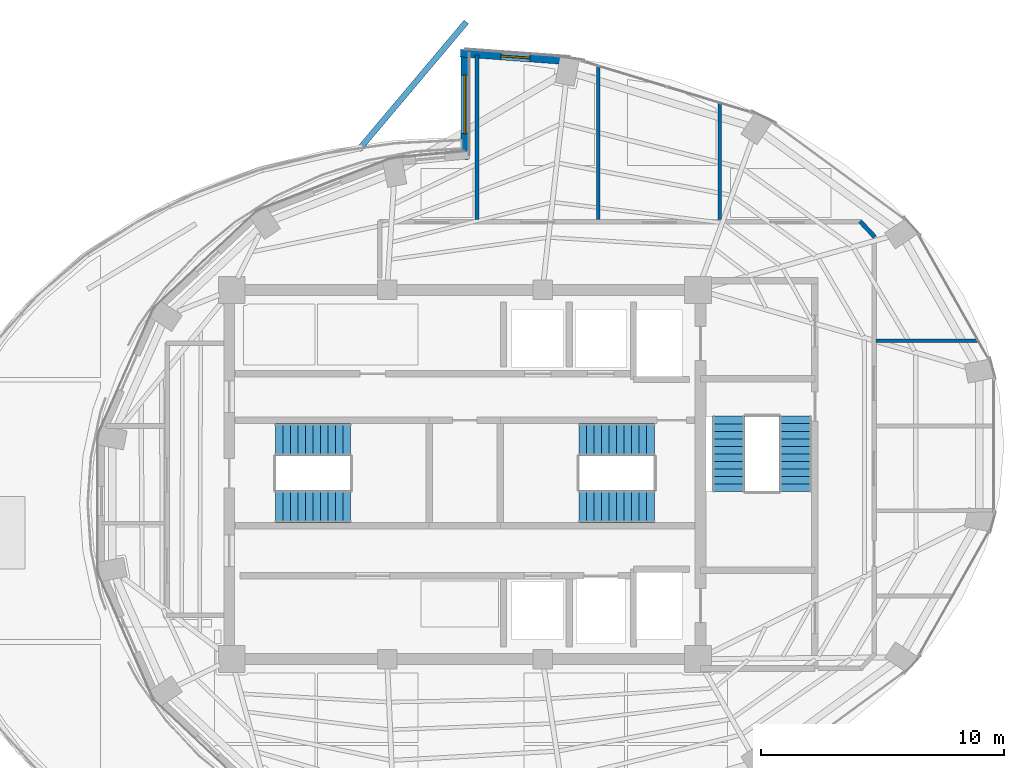
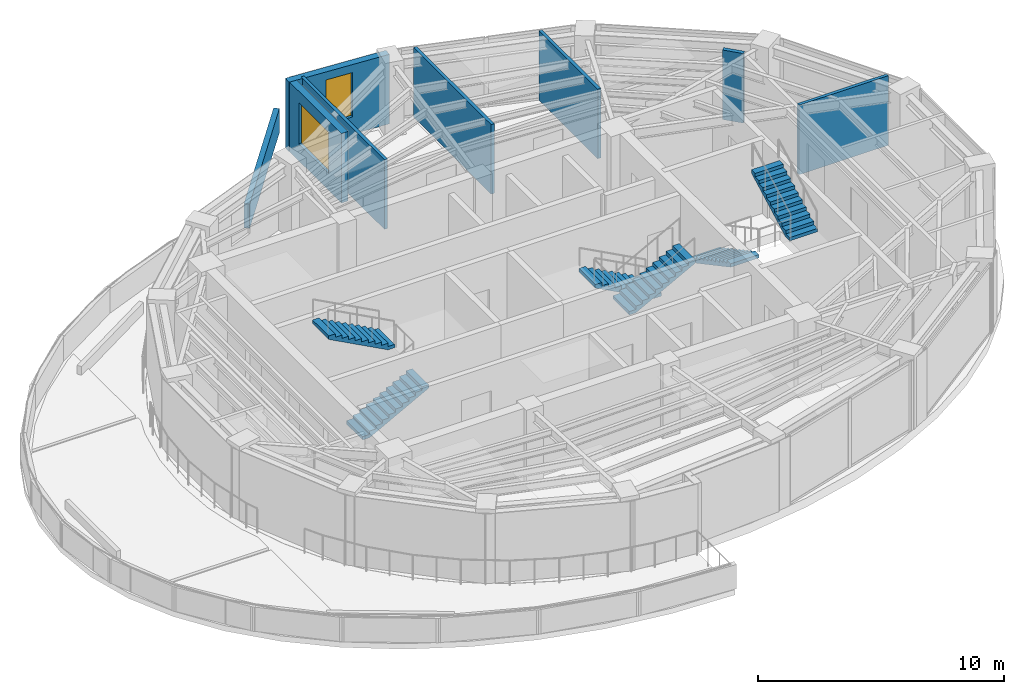
# One storey, part 11 of 15: 8 walls, 6 stair flights, 2 windows, 2 openings, 3 elements without a shape of their own.
"""IFC4 building model written with IfcOpenShell, lengths in metres."""

from ifc_helpers import new_model, si_unit, direction, frame, frame_2d, origin, place, context, subcontext, project, spatial, polyline, rectangle, outline, extrude, material, layer, layer_set, type_object, element, fill, aggregate, save


model = new_model("IFC4")

# Units and contexts
model_context = context("Model", 3, precision=1e-05, world=origin(), true_north=direction((0.0, 1.0)))
body_context = subcontext(model_context, "Body", "Model", "MODEL_VIEW")
ifc_project = project(units=[si_unit("LENGTHUNIT", "METRE"), si_unit("AREAUNIT", "SQUARE_METRE"), si_unit("VOLUMEUNIT", "CUBIC_METRE"), si_unit("PLANEANGLEUNIT", "RADIAN"), si_unit("MASSUNIT", "GRAM", prefix="KILO")], contexts=[model_context])

# Site, building, storey
site_placement = place(None, origin())
site = spatial("IfcSite", under=ifc_project, at=site_placement, CompositionType="ELEMENT")
building_placement = place(site_placement, origin())
building = spatial("IfcBuilding", under=site, at=building_placement, Name="Lazwardi Medical Tower", CompositionType="ELEMENT")
storey_placement = place(building_placement, frame((0.0, 0.0, 269.615966796875)))
storey = spatial("IfcBuildingStorey", under=building, at=storey_placement, Name="L70", CompositionType="ELEMENT", Elevation=269.615966796875)

# Wall
ifc_material_1 = material(Name="Fire-rated gypsum board on steel stud", Category="steel")
ifc_layer_1 = layer(ifc_material_1, 0.179931640625)
ifc_layer_set_1 = layer_set([ifc_layer_1], Name="Fire-rated gypsum board on steel stud")
wall_type_1 = type_object("IfcWallType", Name="WL-COR-180", PredefinedType="PARTITIONING", material=ifc_layer_set_1)
wall_1_placement = place(storey_placement, frame((52.271728515625, 38.42919921875, 0.0), z_axis=(0.0, 0.0, 1.0), x_axis=(0.682475113459, -0.730908831188, 0.0)))
element("IfcWall", 1, at=wall_1_placement, inside=storey, type_object=wall_type_1, Name="L70 Corridor partition 3", PredefinedType="PARTITIONING", context=body_context, shape_type="SweptSolid", body=[
    extrude(rectangle(XDim=0.88720703125, YDim=0.179931640625, at=frame_2d((0.443603515625, 0.0))), origin(), (0.0, 0.0, 1.0), 3.447998046875),
])

# Wall, opening, window
ifc_material_2 = material(Name="Precast concrete C45/55", Category="concrete")
ifc_layer_2 = layer(ifc_material_2, 0.320068359375)
ifc_layer_set_2 = layer_set([ifc_layer_2], Name="Precast concrete C45/55")
wall_type_2 = type_object("IfcWallType", Name="WL-IWAN-320", PredefinedType="SOLIDWALL", material=ifc_layer_set_2)
wall_2_placement = place(storey_placement, frame((40.349609375, 45.0263671875, 0.0), z_axis=(0.0, 0.0, 1.0), x_axis=(-0.997412917451, 0.071885131294, 0.0)))
wall_2 = element("IfcWall", 2, at=wall_2_placement, inside=storey, type_object=wall_type_2, Name="L70 Iwan Portal Return Wall NE_ret", PredefinedType="SOLIDWALL", context=body_context, shape_type="SweptSolid", body=[
    extrude(rectangle(XDim=4.540771484375, YDim=0.320068359375, at=frame_2d((2.2705078125, 0.0))), origin(), (0.0, 0.0, 1.0), 3.447998046875),
])
opening_1_placement = place(wall_2_placement, frame((1.67041015625, 0.0, 0.85009765625)))
opening_1 = element("IfcOpeningElement", 3, at=opening_1_placement, cuts=wall_2, Name="Opening WN-01", PredefinedType="OPENING", context=body_context, shape_type="SweptSolid", body=[
    extrude(rectangle(XDim=1.199951171875, YDim=2.199951171875, at=frame_2d((0.60009765625, 1.10009765625))), frame((0.0, 0.169921875, 0.0), z_axis=(0.0, -1.0, 0.0), x_axis=(1.0, 0.0, 0.0)), (0.0, 0.0, 1.0), 0.340087890625),
])
ifc_material_3 = material(Name="Low-e bronze solar control double glazing", Category="glass")
window_type_1 = type_object("IfcWindowType", Name="WIN-IW-1200", PartitioningType="SINGLE_PANEL", PredefinedType="WINDOW", material=ifc_material_3)
window_1_placement = place(opening_1_placement, origin())
window_1 = element("IfcWindow", 4, at=window_1_placement, inside=storey, type_object=window_type_1, Name="L70 Iwan Slot Window NE_ret", OverallHeight=2.199951171875, OverallWidth=1.199951171875, PartitioningType="SINGLE_PANEL", PredefinedType="WINDOW", context=body_context, shape_type="SweptSolid", body=[
    extrude(rectangle(XDim=1.199951171875, YDim=2.199951171875, at=frame_2d((0.60009765625, 1.10009765625))), frame((0.0, 0.030029296875, 0.0), z_axis=(0.0, -1.0, 0.0), x_axis=(1.0, 0.0, 0.0)), (0.0, 0.0, 1.0), 0.06005859375),
])
fill(opening_1, window_1)

wall_3_placement = place(storey_placement, frame((36.0, 45.5, 0.0), z_axis=(0.0, 0.0, 1.0), x_axis=(0.0, -1.0, 0.0)))
wall_3 = element("IfcWall", 5, at=wall_3_placement, inside=storey, type_object=wall_type_2, Name="L70 Turquoise Tilework Iwan Seam Wall N_seam", PredefinedType="SOLIDWALL", context=body_context, shape_type="SweptSolid", body=[
    extrude(rectangle(XDim=4.52001953125, YDim=0.320068359375, at=frame_2d((2.260009765625, 0.0))), origin(), (0.0, 0.0, 1.0), 3.447998046875),
])
opening_2_placement = place(wall_3_placement, frame((1.06005859375, 0.0, 0.840087890625)))
opening_2 = element("IfcOpeningElement", 6, at=opening_2_placement, cuts=wall_3, Name="Opening WN-02", PredefinedType="OPENING", context=body_context, shape_type="SweptSolid", body=[
    extrude(rectangle(XDim=2.39990234375, YDim=2.0400390625, at=frame_2d((1.199951171875, 1.02001953125))), frame((0.0, 0.169921875, 0.0), z_axis=(0.0, -1.0, 0.0), x_axis=(1.0, 0.0, 0.0)), (0.0, 0.0, 1.0), 0.340087890625),
])
window_type_2 = type_object("IfcWindowType", Name="WIN-IW-2400", PartitioningType="SINGLE_PANEL", PredefinedType="WINDOW", material=ifc_material_3)
window_2_placement = place(opening_2_placement, origin())
window_2 = element("IfcWindow", 7, at=window_2_placement, inside=storey, type_object=window_type_2, Name="L70 Iwan Seam Window N_seam", OverallHeight=2.0400390625, OverallWidth=2.39990234375, PartitioningType="SINGLE_PANEL", PredefinedType="WINDOW", context=body_context, shape_type="SweptSolid", body=[
    extrude(rectangle(XDim=2.39990234375, YDim=2.0400390625, at=frame_2d((1.199951171875, 1.02001953125))), frame((0.0, 0.030029296875, 0.0), z_axis=(0.0, -1.0, 0.0), x_axis=(1.0, 0.0, 0.0)), (0.0, 0.0, 1.0), 0.06005859375),
])
fill(opening_2, window_2)

# Walls
ifc_layer_3 = layer(ifc_material_2, 0.239990234375)
ifc_layer_set_3 = layer_set([ifc_layer_3], Name="Precast concrete C45/55")
wall_type_3 = type_object("IfcWallType", Name="WL-PAR-240", PredefinedType="PARAPET", material=ifc_layer_set_3)
wall_4_placement = place(storey_placement, frame((36.064453125, 46.636474609375, 0.0), z_axis=(0.0, 0.0, 1.0), x_axis=(-0.644157596473, -0.764892797002, 0.0)))
element("IfcWall", 8, at=wall_4_placement, inside=storey, type_object=wall_type_3, Name="L70 West Terrace Parapet 01", PredefinedType="PARAPET", context=body_context, shape_type="SweptSolid", body=[
    extrude(rectangle(XDim=6.88134765625, YDim=0.239990234375, at=frame_2d((3.440673828125, 0.0))), origin(), (0.0, 0.0, 1.0), 1.199951171875),
])
ifc_material_4 = material(Name="Acoustic gypsum board partition")
ifc_layer_4 = layer(ifc_material_4, 0.14990234375)
ifc_layer_set_4 = layer_set([ifc_layer_4], Name="Acoustic gypsum board partition")
wall_type_4 = type_object("IfcWallType", Name="WL-WRD-150", PredefinedType="PARTITIONING", material=ifc_layer_set_4)
wall_5_placement = place(storey_placement, frame((52.93994140625, 33.5, 0.0), z_axis=(0.0, 0.0, 1.0), x_axis=(1.0, 0.0, 0.0)))
element("IfcWall", 9, at=wall_5_placement, inside=storey, type_object=wall_type_4, Name="L70 Room partition 6", PredefinedType="PARTITIONING", context=body_context, shape_type="SweptSolid", body=[
    extrude(rectangle(XDim=4.19921875, YDim=0.14990234375, at=frame_2d((2.099609375, 0.0))), origin(), (0.0, 0.0, 1.0), 3.447998046875),
])
wall_6_placement = place(storey_placement, frame((36.5, 38.489990234375, 0.0), z_axis=(0.0, 0.0, 1.0), x_axis=(0.0, 1.0, 0.0)))
element("IfcWall", 10, at=wall_6_placement, inside=storey, type_object=wall_type_4, Name="L70 Room partition 7", PredefinedType="PARTITIONING", context=body_context, shape_type="SweptSolid", body=[
    extrude(rectangle(XDim=6.78466796875, YDim=0.14990234375, at=frame_2d((3.392333984375, 0.0))), origin(), (0.0, 0.0, 1.0), 3.447998046875),
])
wall_7_placement = place(storey_placement, frame((41.5, 38.489990234375, 0.0), z_axis=(0.0, 0.0, 1.0), x_axis=(0.0, 1.0, 0.0)))
element("IfcWall", 11, at=wall_7_placement, inside=storey, type_object=wall_type_4, Name="L70 Room partition 8", PredefinedType="PARTITIONING", context=body_context, shape_type="SweptSolid", body=[
    extrude(rectangle(XDim=6.309814453125, YDim=0.14990234375, at=frame_2d((3.15478515625, 0.0))), origin(), (0.0, 0.0, 1.0), 3.447998046875),
])
wall_8_placement = place(storey_placement, frame((46.5, 38.489990234375, 0.0), z_axis=(0.0, 0.0, 1.0), x_axis=(0.0, 1.0, 0.0)))
element("IfcWall", 12, at=wall_8_placement, inside=storey, type_object=wall_type_4, Name="L70 Room partition 9", PredefinedType="PARTITIONING", context=body_context, shape_type="SweptSolid", body=[
    extrude(rectangle(XDim=4.791259765625, YDim=0.14990234375, at=frame_2d((2.3955078125, 0.0))), origin(), (0.0, 0.0, 1.0), 3.447998046875),
])

# Stair, stair flights
ifc_material_5 = material(Name="Concrete C45/55", Category="concrete")
stair_type = type_object("IfcStairType", Name="STR-WRD", PredefinedType="HALF_TURN_STAIR", material=ifc_material_5)
stair_1_placement = place(storey_placement, origin())
stair_1 = element("IfcStair", 13, at=stair_1_placement, inside=storey, type_object=stair_type, Name="L70 Protected Exit Stair ST1", PredefinedType="HALF_TURN_STAIR")
stair_flight_type = type_object("IfcStairFlightType", Name="FLT-WRD", PredefinedType="STRAIGHT", material=ifc_material_5)
stair_flight_1_placement = place(storey_placement, frame((28.199951171875, 26.679931640625, 0.0), z_axis=(0.0, 0.0, 1.0), x_axis=(1.0, 0.0, 0.0)))
stair_flight_1 = element("IfcStairFlight", 14, at=stair_flight_1_placement, type_object=stair_flight_type, Name="ST1 flight 1", NumberOfRisers=11, NumberOfTreads=10, PredefinedType="STRAIGHT", RiserHeight=0.165818182, TreadLength=0.31, context=body_context, shape_type="SweptSolid", body=[
    extrude(outline(polyline([(0.0, 0.0), (0.0, 0.165771484375), (0.31005859375, 0.165771484375), (0.31005859375, 0.33154296875), (0.6201171875, 0.33154296875), (0.6201171875, 0.49755859375), (0.929931640625, 0.49755859375), (0.929931640625, 0.663330078125), (1.239990234375, 0.663330078125), (1.239990234375, 0.8291015625), (1.550048828125, 0.8291015625), (1.550048828125, 0.994873046875), (1.860107421875, 0.994873046875), (1.860107421875, 1.16064453125), (2.169921875, 1.16064453125), (2.169921875, 1.32666015625), (2.47998046875, 1.32666015625), (2.47998046875, 1.492431640625), (2.7900390625, 1.492431640625), (2.7900390625, 1.658203125), (3.10009765625, 1.658203125), (3.10009765625, 1.823974609375), (3.10009765625, 1.48828125), (0.31787109375, 0.0), (0.0, 0.0)])), frame((0.0, 0.66015625, 0.0), z_axis=(0.0, -1.0, 0.0), x_axis=(1.0, 0.0, 0.0)), (0.0, 0.0, 1.0), 1.320068359375),
])
stair_flight_2_placement = place(storey_placement, frame((31.300048828125, 29.43994140625, 1.823974609375), z_axis=(0.0, 0.0, 1.0), x_axis=(-1.0, 0.0, 0.0)))
stair_flight_2 = element("IfcStairFlight", 15, at=stair_flight_2_placement, type_object=stair_flight_type, Name="ST1 flight 2", NumberOfRisers=11, NumberOfTreads=10, PredefinedType="STRAIGHT", RiserHeight=0.165818182, TreadLength=0.31, context=body_context, shape_type="SweptSolid", body=[
    extrude(outline(polyline([(0.0, 0.0), (0.0, 0.165771484375), (0.31005859375, 0.165771484375), (0.31005859375, 0.33154296875), (0.6201171875, 0.33154296875), (0.6201171875, 0.49755859375), (0.929931640625, 0.49755859375), (0.929931640625, 0.663330078125), (1.239990234375, 0.663330078125), (1.239990234375, 0.8291015625), (1.550048828125, 0.8291015625), (1.550048828125, 0.994873046875), (1.860107421875, 0.994873046875), (1.860107421875, 1.16064453125), (2.169921875, 1.16064453125), (2.169921875, 1.32666015625), (2.47998046875, 1.32666015625), (2.47998046875, 1.492431640625), (2.7900390625, 1.492431640625), (2.7900390625, 1.658203125), (3.10009765625, 1.658203125), (3.10009765625, 1.823974609375), (3.10009765625, 1.48828125), (0.31787109375, 0.0), (0.0, 0.0)])), frame((0.0, 0.66015625, 0.0), z_axis=(0.0, -1.0, 0.0), x_axis=(1.0, 0.0, 0.0)), (0.0, 0.0, 1.0), 1.320068359375),
])
aggregate(stair_1, [stair_flight_1, stair_flight_2])

stair_2_placement = place(storey_placement, origin())
stair_2 = element("IfcStair", 16, at=stair_2_placement, inside=storey, type_object=stair_type, Name="L70 Protected Exit Stair ST2", PredefinedType="HALF_TURN_STAIR")
stair_flight_3_placement = place(storey_placement, frame((43.800048828125, 29.43994140625, 0.0), z_axis=(0.0, 0.0, 1.0), x_axis=(-1.0, 0.0, 0.0)))
stair_flight_3 = element("IfcStairFlight", 17, at=stair_flight_3_placement, type_object=stair_flight_type, Name="ST2 flight 1", NumberOfRisers=11, NumberOfTreads=10, PredefinedType="STRAIGHT", RiserHeight=0.165818182, TreadLength=0.31, context=body_context, shape_type="SweptSolid", body=[
    extrude(outline(polyline([(0.0, 0.0), (0.0, 0.165771484375), (0.31005859375, 0.165771484375), (0.31005859375, 0.33154296875), (0.6201171875, 0.33154296875), (0.6201171875, 0.49755859375), (0.929931640625, 0.49755859375), (0.929931640625, 0.663330078125), (1.239990234375, 0.663330078125), (1.239990234375, 0.8291015625), (1.550048828125, 0.8291015625), (1.550048828125, 0.994873046875), (1.860107421875, 0.994873046875), (1.860107421875, 1.16064453125), (2.169921875, 1.16064453125), (2.169921875, 1.32666015625), (2.47998046875, 1.32666015625), (2.47998046875, 1.492431640625), (2.7900390625, 1.492431640625), (2.7900390625, 1.658203125), (3.10009765625, 1.658203125), (3.10009765625, 1.823974609375), (3.10009765625, 1.48828125), (0.31787109375, 0.0), (0.0, 0.0)])), frame((0.0, 0.66015625, 0.0), z_axis=(0.0, -1.0, 0.0), x_axis=(1.0, 0.0, 0.0)), (0.0, 0.0, 1.0), 1.320068359375),
])
stair_flight_4_placement = place(storey_placement, frame((40.699951171875, 26.679931640625, 1.823974609375), z_axis=(0.0, 0.0, 1.0), x_axis=(1.0, 0.0, 0.0)))
stair_flight_4 = element("IfcStairFlight", 18, at=stair_flight_4_placement, type_object=stair_flight_type, Name="ST2 flight 2", NumberOfRisers=11, NumberOfTreads=10, PredefinedType="STRAIGHT", RiserHeight=0.165818182, TreadLength=0.31, context=body_context, shape_type="SweptSolid", body=[
    extrude(outline(polyline([(0.0, 0.0), (0.0, 0.165771484375), (0.31005859375, 0.165771484375), (0.31005859375, 0.33154296875), (0.6201171875, 0.33154296875), (0.6201171875, 0.49755859375), (0.929931640625, 0.49755859375), (0.929931640625, 0.663330078125), (1.239990234375, 0.663330078125), (1.239990234375, 0.8291015625), (1.550048828125, 0.8291015625), (1.550048828125, 0.994873046875), (1.860107421875, 0.994873046875), (1.860107421875, 1.16064453125), (2.169921875, 1.16064453125), (2.169921875, 1.32666015625), (2.47998046875, 1.32666015625), (2.47998046875, 1.492431640625), (2.7900390625, 1.492431640625), (2.7900390625, 1.658203125), (3.10009765625, 1.658203125), (3.10009765625, 1.823974609375), (3.10009765625, 1.48828125), (0.31787109375, 0.0), (0.0, 0.0)])), frame((0.0, 0.66015625, 0.0), z_axis=(0.0, -1.0, 0.0), x_axis=(1.0, 0.0, 0.0)), (0.0, 0.0, 1.0), 1.320068359375),
])
aggregate(stair_2, [stair_flight_3, stair_flight_4])

stair_3_placement = place(storey_placement, origin())
stair_3 = element("IfcStair", 19, at=stair_3_placement, inside=storey, type_object=stair_type, Name="L70 Protected Exit Stair ST3", PredefinedType="HALF_TURN_STAIR")
stair_flight_5_placement = place(storey_placement, frame((46.860107421875, 30.39990234375, 0.0), z_axis=(0.0, 0.0, 1.0), x_axis=(0.0, -1.0, 0.0)))
stair_flight_5 = element("IfcStairFlight", 20, at=stair_flight_5_placement, type_object=stair_flight_type, Name="ST3 flight 1", NumberOfRisers=11, NumberOfTreads=10, PredefinedType="STRAIGHT", RiserHeight=0.165818182, TreadLength=0.31, context=body_context, shape_type="SweptSolid", body=[
    extrude(outline(polyline([(0.0, 0.0), (0.0, 0.165771484375), (0.31005859375, 0.165771484375), (0.31005859375, 0.33154296875), (0.6201171875, 0.33154296875), (0.6201171875, 0.49755859375), (0.929931640625, 0.49755859375), (0.929931640625, 0.663330078125), (1.239990234375, 0.663330078125), (1.239990234375, 0.8291015625), (1.550048828125, 0.8291015625), (1.550048828125, 0.994873046875), (1.860107421875, 0.994873046875), (1.860107421875, 1.16064453125), (2.169921875, 1.16064453125), (2.169921875, 1.32666015625), (2.47998046875, 1.32666015625), (2.47998046875, 1.492431640625), (2.7900390625, 1.492431640625), (2.7900390625, 1.658203125), (3.10009765625, 1.658203125), (3.10009765625, 1.823974609375), (3.10009765625, 1.48828125), (0.31787109375, 0.0), (0.0, 0.0)])), frame((0.0, 0.66015625, 0.0), z_axis=(0.0, -1.0, 0.0), x_axis=(1.0, 0.0, 0.0)), (0.0, 0.0, 1.0), 1.320068359375),
])
stair_flight_6_placement = place(storey_placement, frame((49.6201171875, 27.300048828125, 1.823974609375), z_axis=(0.0, 0.0, 1.0), x_axis=(0.0, 1.0, 0.0)))
stair_flight_6 = element("IfcStairFlight", 21, at=stair_flight_6_placement, type_object=stair_flight_type, Name="ST3 flight 2", NumberOfRisers=11, NumberOfTreads=10, PredefinedType="STRAIGHT", RiserHeight=0.165818182, TreadLength=0.31, context=body_context, shape_type="SweptSolid", body=[
    extrude(outline(polyline([(0.0, 0.0), (0.0, 0.165771484375), (0.31005859375, 0.165771484375), (0.31005859375, 0.33154296875), (0.6201171875, 0.33154296875), (0.6201171875, 0.49755859375), (0.929931640625, 0.49755859375), (0.929931640625, 0.663330078125), (1.239990234375, 0.663330078125), (1.239990234375, 0.8291015625), (1.550048828125, 0.8291015625), (1.550048828125, 0.994873046875), (1.860107421875, 0.994873046875), (1.860107421875, 1.16064453125), (2.169921875, 1.16064453125), (2.169921875, 1.32666015625), (2.47998046875, 1.32666015625), (2.47998046875, 1.492431640625), (2.7900390625, 1.492431640625), (2.7900390625, 1.658203125), (3.10009765625, 1.658203125), (3.10009765625, 1.823974609375), (3.10009765625, 1.48828125), (0.31787109375, 0.0), (0.0, 0.0)])), frame((0.0, 0.66015625, 0.0), z_axis=(0.0, -1.0, 0.0), x_axis=(1.0, 0.0, 0.0)), (0.0, 0.0, 1.0), 1.320068359375),
])
aggregate(stair_3, [stair_flight_5, stair_flight_6])

save(model, "model.ifc")
